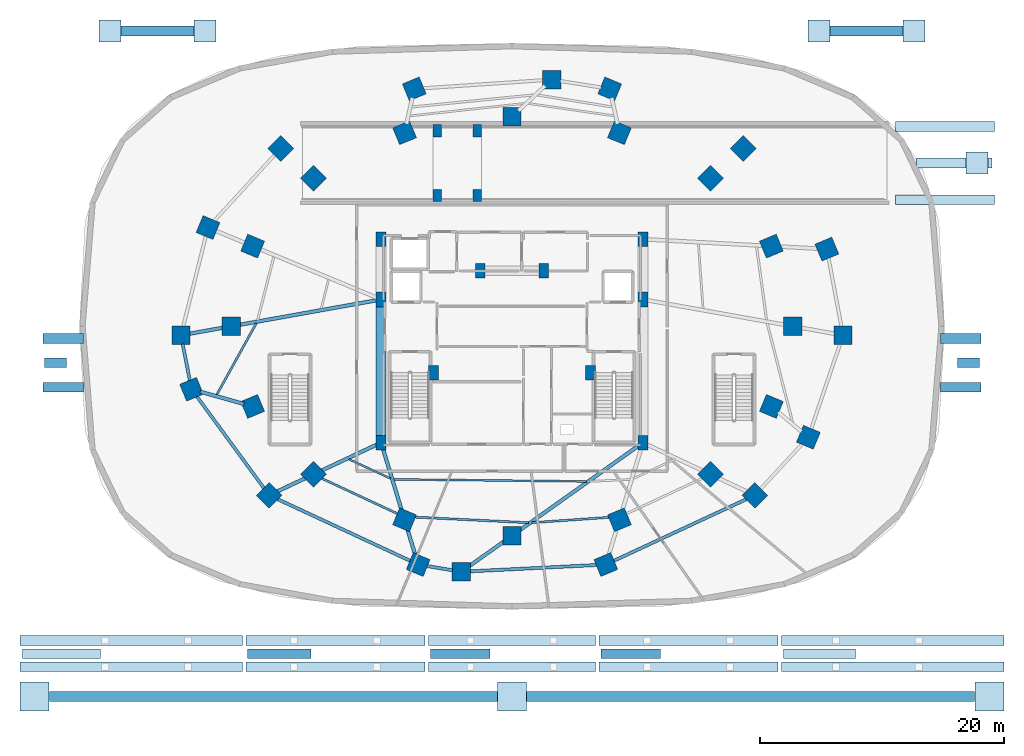
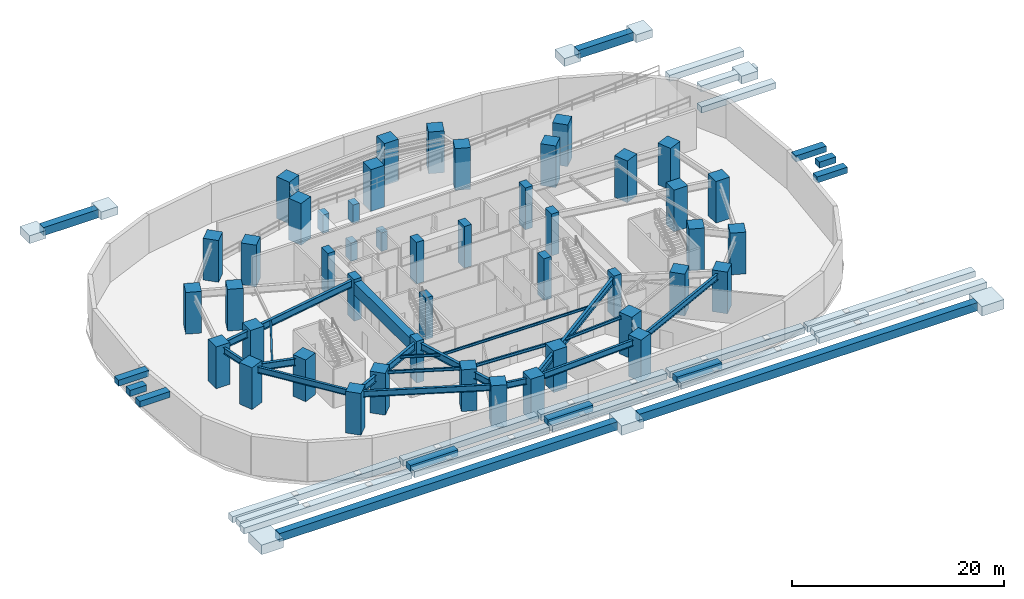
# One storey, part 1 of 8: 46 columns, 36 footings, 18 beams.
"""IFC4 building model written with IfcOpenShell, lengths in metres."""

from ifc_helpers import new_model, si_unit, direction, frame, origin, origin_2d, place, context, subcontext, project, spatial, rectangle, i_section, extrude, material, material_profile, profile_set, type_object, element, save


model = new_model("IFC4")

# Units and contexts
model_context = context("Model", 3, precision=1e-05, world=origin(), true_north=direction((0.0, 1.0)))
body_context = subcontext(model_context, "Body", "Model", "MODEL_VIEW")
ifc_project = project(units=[si_unit("LENGTHUNIT", "METRE"), si_unit("AREAUNIT", "SQUARE_METRE"), si_unit("VOLUMEUNIT", "CUBIC_METRE"), si_unit("PLANEANGLEUNIT", "RADIAN"), si_unit("MASSUNIT", "GRAM", prefix="KILO")], contexts=[model_context])

# Site, building, storey
site_placement = place(None, origin())
site = spatial("IfcSite", under=ifc_project, at=site_placement, CompositionType="ELEMENT")
building_placement = place(site_placement, origin())
building = spatial("IfcBuilding", under=site, at=building_placement, Name="Vorneva Point Tower", CompositionType="ELEMENT")
storey_placement = place(building_placement, frame((0.0, 0.0, -4.800048828125)))
storey = spatial("IfcBuildingStorey", under=building, at=storey_placement, Name="B01", CompositionType="ELEMENT", Elevation=-4.800048828125)

# Footings
ifc_material_1 = material(Name="Concrete B60 (C50/60)", Category="concrete")
ifc_material_profile_1 = material_profile(ifc_material_1, rectangle(XDim=0.800048828125, YDim=0.949951171875, at=origin_2d()), Name="GB 800x950")
ifc_profile_set_1 = profile_set([ifc_material_profile_1], Name="Concrete B60 (C50/60)")
footing_type_1 = type_object("IfcFootingType", Name="FT-GB-800x950", PredefinedType="FOOTING_BEAM", material=ifc_profile_set_1)
for number, where, z_axis, x_axis, name in (
    (1, (0.010009765625, -4.39990234375, 4.14501953125), (1.0, 0.0, 0.0), (0.0, 1.0, 0.0), "Waterfront Ground Tie Beam GB-01"),
    (2, (39.2099609375, -4.39990234375, 4.14501953125), (1.0, 0.0, 0.0), (0.0, 1.0, 0.0), "Waterfront Ground Tie Beam GB-02"),
):
    element("IfcFooting", number, at=place(storey_placement, frame(where, z_axis=z_axis, x_axis=x_axis)), inside=storey, type_object=footing_type_1, Name=name, PredefinedType="FOOTING_BEAM", context=body_context, shape_type="SweptSolid", body=[
        extrude(rectangle(XDim=0.800048828125, YDim=0.949951171875, at=origin_2d()), origin(), (0.0, 0.0, 1.0), 36.780029296875),
    ])
for number, where, z_axis, x_axis, name in (
    (3, (5.909912109375, 50.25, 4.14501953125), (1.0, 0.0, 0.0), (0.0, 1.0, 0.0), "Waterfront Ground Tie Beam GB-03"),
    (4, (64.110107421875, 50.25, 4.14501953125), (1.0, 0.0, 0.0), (0.0, 1.0, 0.0), "Waterfront Ground Tie Beam GB-04"),
):
    element("IfcFooting", number, at=place(storey_placement, frame(where, z_axis=z_axis, x_axis=x_axis)), inside=storey, type_object=footing_type_1, Name=name, PredefinedType="FOOTING_BEAM", context=body_context, shape_type="SweptSolid", body=[
        extrude(rectangle(XDim=0.800048828125, YDim=0.949951171875, at=origin_2d()), origin(), (0.0, 0.0, 1.0), 5.97998046875),
    ])
footing_type_2 = type_object("IfcFootingType", Name="FT-PAD-1800", PredefinedType="PAD_FOOTING", material=ifc_material_1)
for number, where, z_axis, x_axis, name in (
    (5, (12.800048828125, 50.25, 3.72021484375), (0.0, 0.0, 1.0), (1.0, 0.0, 0.0), "Waterfront Quay Pad Footing 02"),
    (6, (63.199951171875, 50.25, 3.72021484375), (0.0, 0.0, 1.0), (1.0, 0.0, 0.0), "Waterfront Quay Pad Footing 04"),
    (7, (76.199951171875, 39.39990234375, 3.72021484375), (0.0, 0.0, 1.0), (1.0, 0.0, 0.0), "Waterfront Quay Pad Footing 06"),
    (8, (5.0, 50.25, 3.72021484375), (0.0, 0.0, 1.0), (1.0, 0.0, 0.0), "Waterfront Quay Pad Footing 07"),
    (9, (71.0, 50.25, 3.72021484375), (0.0, 0.0, 1.0), (1.0, 0.0, 0.0), "Waterfront Quay Pad Footing 08"),
):
    element("IfcFooting", number, at=place(storey_placement, frame(where, z_axis=z_axis, x_axis=x_axis)), inside=storey, type_object=footing_type_2, Name=name, PredefinedType="PAD_FOOTING", context=body_context, shape_type="SweptSolid", body=[
        extrude(rectangle(XDim=1.800048828125, YDim=1.800048828125, at=origin_2d()), origin(), (0.0, 0.0, 1.0), 0.89990234375),
    ])
footing_type_3 = type_object("IfcFootingType", Name="FT-PAD-2400", PredefinedType="PAD_FOOTING", material=ifc_material_1)
for number, where, z_axis, x_axis, name in (
    (10, (-1.199951171875, -4.39990234375, 3.52001953125), (0.0, 0.0, 1.0), (1.0, 0.0, 0.0), "Waterfront Quay Pad Footing 01"),
    (11, (38.0, -4.39990234375, 3.52001953125), (0.0, 0.0, 1.0), (1.0, 0.0, 0.0), "Waterfront Quay Pad Footing 03"),
    (12, (77.199951171875, -4.39990234375, 3.52001953125), (0.0, 0.0, 1.0), (1.0, 0.0, 0.0), "Waterfront Quay Pad Footing 05"),
):
    element("IfcFooting", number, at=place(storey_placement, frame(where, z_axis=z_axis, x_axis=x_axis)), inside=storey, type_object=footing_type_3, Name=name, PredefinedType="PAD_FOOTING", context=body_context, shape_type="SweptSolid", body=[
        extrude(rectangle(XDim=2.39990234375, YDim=2.39990234375, at=origin_2d()), origin(), (0.0, 0.0, 1.0), 1.10009765625),
    ])
ifc_material_profile_2 = material_profile(ifc_material_1, rectangle(XDim=0.800048828125, YDim=0.699951171875, at=origin_2d()), Name="SF 800x700")
ifc_profile_set_2 = profile_set([ifc_material_profile_2], Name="Concrete B60 (C50/60)")
footing_type_4 = type_object("IfcFootingType", Name="FT-SF-800x700", PredefinedType="STRIP_FOOTING", material=ifc_profile_set_2)
for number, where, z_axis, x_axis, name in (
    (13, (-2.39990234375, -1.949951171875, 4.27001953125), (1.0, 0.0, 0.0), (0.0, 1.0, 0.0), "Waterfront Quay Strip Footing SF-Q1S"),
    (14, (-2.39990234375, 0.199951171875, 4.27001953125), (1.0, 0.0, 0.0), (0.0, 1.0, 0.0), "Waterfront Quay Strip Footing SF-Q1N"),
):
    element("IfcFooting", number, at=place(storey_placement, frame(where, z_axis=z_axis, x_axis=x_axis)), inside=storey, type_object=footing_type_4, Name=name, PredefinedType="STRIP_FOOTING", context=body_context, shape_type="SweptSolid", body=[
        extrude(rectangle(XDim=0.800048828125, YDim=0.699951171875, at=origin_2d()), origin(), (0.0, 0.0, 1.0), 18.25),
    ])
footing_1_placement = place(storey_placement, frame((-2.199951171875, -0.8798828125, 4.27001953125), z_axis=(1.0, 0.0, 0.0), x_axis=(0.0, 1.0, 0.0)))
element("IfcFooting", 15, at=footing_1_placement, inside=storey, type_object=footing_type_4, Name="Waterfront Quay Strip Footing SF-Q1M", PredefinedType="STRIP_FOOTING", context=body_context, shape_type="SweptSolid", body=[
    extrude(rectangle(XDim=0.800048828125, YDim=0.699951171875, at=origin_2d()), origin(), (0.0, 0.0, 1.0), 6.39990234375),
])
for number, where, z_axis, x_axis, name in (
    (16, (16.14990234375, -1.949951171875, 4.27001953125), (1.0, 0.0, 0.0), (0.0, 1.0, 0.0), "Waterfront Quay Strip Footing SF-Q2S"),
    (17, (16.14990234375, 0.199951171875, 4.27001953125), (1.0, 0.0, 0.0), (0.0, 1.0, 0.0), "Waterfront Quay Strip Footing SF-Q2N"),
):
    element("IfcFooting", number, at=place(storey_placement, frame(where, z_axis=z_axis, x_axis=x_axis)), inside=storey, type_object=footing_type_4, Name=name, PredefinedType="STRIP_FOOTING", context=body_context, shape_type="SweptSolid", body=[
        extrude(rectangle(XDim=0.800048828125, YDim=0.699951171875, at=origin_2d()), origin(), (0.0, 0.0, 1.0), 14.7001953125),
    ])
footing_2_placement = place(storey_placement, frame((16.300048828125, -0.8798828125, 4.27001953125), z_axis=(1.0, 0.0, 0.0), x_axis=(0.0, 1.0, 0.0)))
element("IfcFooting", 18, at=footing_2_placement, inside=storey, type_object=footing_type_4, Name="Waterfront Quay Strip Footing SF-Q2M", PredefinedType="STRIP_FOOTING", context=body_context, shape_type="SweptSolid", body=[
    extrude(rectangle(XDim=0.800048828125, YDim=0.699951171875, at=origin_2d()), origin(), (0.0, 0.0, 1.0), 5.199951171875),
])
for number, where, z_axis, x_axis, name in (
    (19, (31.14990234375, -1.949951171875, 4.27001953125), (1.0, 0.0, 0.0), (0.0, 1.0, 0.0), "Waterfront Quay Strip Footing SF-Q3S"),
    (20, (31.14990234375, 0.199951171875, 4.27001953125), (1.0, 0.0, 0.0), (0.0, 1.0, 0.0), "Waterfront Quay Strip Footing SF-Q3N"),
):
    element("IfcFooting", number, at=place(storey_placement, frame(where, z_axis=z_axis, x_axis=x_axis)), inside=storey, type_object=footing_type_4, Name=name, PredefinedType="STRIP_FOOTING", context=body_context, shape_type="SweptSolid", body=[
        extrude(rectangle(XDim=0.800048828125, YDim=0.699951171875, at=origin_2d()), origin(), (0.0, 0.0, 1.0), 13.7001953125),
    ])
footing_3_placement = place(storey_placement, frame((31.300048828125, -0.8798828125, 4.27001953125), z_axis=(1.0, 0.0, 0.0), x_axis=(0.0, 1.0, 0.0)))
element("IfcFooting", 21, at=footing_3_placement, inside=storey, type_object=footing_type_4, Name="Waterfront Quay Strip Footing SF-Q3M", PredefinedType="STRIP_FOOTING", context=body_context, shape_type="SweptSolid", body=[
    extrude(rectangle(XDim=0.800048828125, YDim=0.699951171875, at=origin_2d()), origin(), (0.0, 0.0, 1.0), 4.89990234375),
])
for number, where, z_axis, x_axis, name in (
    (22, (45.14990234375, -1.949951171875, 4.27001953125), (1.0, 0.0, 0.0), (0.0, 1.0, 0.0), "Waterfront Quay Strip Footing SF-Q4S"),
    (23, (45.14990234375, 0.199951171875, 4.27001953125), (1.0, 0.0, 0.0), (0.0, 1.0, 0.0), "Waterfront Quay Strip Footing SF-Q4N"),
):
    element("IfcFooting", number, at=place(storey_placement, frame(where, z_axis=z_axis, x_axis=x_axis)), inside=storey, type_object=footing_type_4, Name=name, PredefinedType="STRIP_FOOTING", context=body_context, shape_type="SweptSolid", body=[
        extrude(rectangle(XDim=0.800048828125, YDim=0.699951171875, at=origin_2d()), origin(), (0.0, 0.0, 1.0), 14.7001953125),
    ])
footing_4_placement = place(storey_placement, frame((45.300048828125, -0.8798828125, 4.27001953125), z_axis=(1.0, 0.0, 0.0), x_axis=(0.0, 1.0, 0.0)))
element("IfcFooting", 24, at=footing_4_placement, inside=storey, type_object=footing_type_4, Name="Waterfront Quay Strip Footing SF-Q4M", PredefinedType="STRIP_FOOTING", context=body_context, shape_type="SweptSolid", body=[
    extrude(rectangle(XDim=0.800048828125, YDim=0.699951171875, at=origin_2d()), origin(), (0.0, 0.0, 1.0), 4.89990234375),
])
for number, where, z_axis, x_axis, name in (
    (25, (60.14990234375, -1.949951171875, 4.27001953125), (1.0, 0.0, 0.0), (0.0, 1.0, 0.0), "Waterfront Quay Strip Footing SF-Q5S"),
    (26, (60.14990234375, 0.199951171875, 4.27001953125), (1.0, 0.0, 0.0), (0.0, 1.0, 0.0), "Waterfront Quay Strip Footing SF-Q5N"),
):
    element("IfcFooting", number, at=place(storey_placement, frame(where, z_axis=z_axis, x_axis=x_axis)), inside=storey, type_object=footing_type_4, Name=name, PredefinedType="STRIP_FOOTING", context=body_context, shape_type="SweptSolid", body=[
        extrude(rectangle(XDim=0.800048828125, YDim=0.699951171875, at=origin_2d()), origin(), (0.0, 0.0, 1.0), 18.25),
    ])
footing_5_placement = place(storey_placement, frame((60.300048828125, -0.8798828125, 4.27001953125), z_axis=(1.0, 0.0, 0.0), x_axis=(0.0, 1.0, 0.0)))
element("IfcFooting", 27, at=footing_5_placement, inside=storey, type_object=footing_type_4, Name="Waterfront Quay Strip Footing SF-Q5M", PredefinedType="STRIP_FOOTING", context=body_context, shape_type="SweptSolid", body=[
    extrude(rectangle(XDim=0.800048828125, YDim=0.699951171875, at=origin_2d()), origin(), (0.0, 0.0, 1.0), 5.89990234375),
])
for number, where, z_axis, x_axis, name in (
    (28, (69.5, 36.39990234375, 4.27001953125), (1.0, 0.0, 0.0), (0.0, 1.0, 0.0), "Waterfront Quay Strip Footing SF-DRV1"),
    (29, (69.5, 42.39990234375, 4.27001953125), (1.0, 0.0, 0.0), (0.0, 1.0, 0.0), "Waterfront Quay Strip Footing SF-DRV2"),
):
    element("IfcFooting", number, at=place(storey_placement, frame(where, z_axis=z_axis, x_axis=x_axis)), inside=storey, type_object=footing_type_4, Name=name, PredefinedType="STRIP_FOOTING", context=body_context, shape_type="SweptSolid", body=[
        extrude(rectangle(XDim=0.800048828125, YDim=0.699951171875, at=origin_2d()), origin(), (0.0, 0.0, 1.0), 8.10009765625),
    ])
footing_6_placement = place(storey_placement, frame((71.199951171875, 39.39990234375, 4.27001953125), z_axis=(1.0, 0.0, 0.0), x_axis=(0.0, 1.0, 0.0)))
element("IfcFooting", 30, at=footing_6_placement, inside=storey, type_object=footing_type_4, Name="Waterfront Quay Strip Footing SF-DRV3", PredefinedType="STRIP_FOOTING", context=body_context, shape_type="SweptSolid", body=[
    extrude(rectangle(XDim=0.800048828125, YDim=0.699951171875, at=origin_2d()), origin(), (0.0, 0.0, 1.0), 6.199951171875),
])
for number, where, z_axis, x_axis, name in (
    (31, (-0.5, 21.0, 4.27001953125), (1.0, 0.0, 0.0), (0.0, 1.0, 0.0), "Waterfront Quay Strip Footing SF-EXW1"),
    (32, (-0.5, 25.0, 4.27001953125), (1.0, 0.0, 0.0), (0.0, 1.0, 0.0), "Waterfront Quay Strip Footing SF-EXW2"),
):
    element("IfcFooting", number, at=place(storey_placement, frame(where, z_axis=z_axis, x_axis=x_axis)), inside=storey, type_object=footing_type_4, Name=name, PredefinedType="STRIP_FOOTING", context=body_context, shape_type="SweptSolid", body=[
        extrude(rectangle(XDim=0.800048828125, YDim=0.699951171875, at=origin_2d()), origin(), (0.0, 0.0, 1.0), 3.300048828125),
    ])
footing_7_placement = place(storey_placement, frame((-0.39990234375, 23.0, 4.27001953125), z_axis=(1.0, 0.0, 0.0), x_axis=(0.0, 1.0, 0.0)))
element("IfcFooting", 33, at=footing_7_placement, inside=storey, type_object=footing_type_4, Name="Waterfront Quay Strip Footing SF-EXW3", PredefinedType="STRIP_FOOTING", context=body_context, shape_type="SweptSolid", body=[
    extrude(rectangle(XDim=0.800048828125, YDim=0.699951171875, at=origin_2d()), origin(), (0.0, 0.0, 1.0), 1.7998046875),
])
for number, where, z_axis, x_axis, name in (
    (34, (73.199951171875, 21.0, 4.27001953125), (1.0, 0.0, 0.0), (0.0, 1.0, 0.0), "Waterfront Quay Strip Footing SF-EXE1"),
    (35, (73.199951171875, 25.0, 4.27001953125), (1.0, 0.0, 0.0), (0.0, 1.0, 0.0), "Waterfront Quay Strip Footing SF-EXE2"),
):
    element("IfcFooting", number, at=place(storey_placement, frame(where, z_axis=z_axis, x_axis=x_axis)), inside=storey, type_object=footing_type_4, Name=name, PredefinedType="STRIP_FOOTING", context=body_context, shape_type="SweptSolid", body=[
        extrude(rectangle(XDim=0.800048828125, YDim=0.699951171875, at=origin_2d()), origin(), (0.0, 0.0, 1.0), 3.300048828125),
    ])
footing_8_placement = place(storey_placement, frame((74.60009765625, 23.0, 4.27001953125), z_axis=(1.0, 0.0, 0.0), x_axis=(0.0, 1.0, 0.0)))
element("IfcFooting", 36, at=footing_8_placement, inside=storey, type_object=footing_type_4, Name="Waterfront Quay Strip Footing SF-EXE3", PredefinedType="STRIP_FOOTING", context=body_context, shape_type="SweptSolid", body=[
    extrude(rectangle(XDim=0.800048828125, YDim=0.699951171875, at=origin_2d()), origin(), (0.0, 0.0, 1.0), 1.7998046875),
])

# Columns
ifc_material_profile_3 = material_profile(ifc_material_1, rectangle(XDim=1.5, YDim=1.5, at=origin_2d()), Name="RC-COL 1500x1500")
ifc_profile_set_3 = profile_set([ifc_material_profile_3], Name="Concrete B60 (C50/60)")
column_type_1 = type_object("IfcColumnType", Name="COL-RC1500-SUB", PredefinedType="COLUMN", material=ifc_profile_set_3)
for number, where, z_axis, x_axis, name in (
    (37, (61.050048828125, 26.0, 0.0), (0.0, 0.0, 1.0), (1.0, 0.0, 0.0), "B01 Perimeter Column P01"),
    (38, (59.29541015625, 32.582275390625, 0.0), (0.0, 0.0, 1.0), (0.923879532511, 0.382683432365, 0.0), "B01 Perimeter Column P02"),
    (39, (54.298828125, 38.162109375, 0.0), (0.0, 0.0, 1.0), (0.707106781187, 0.707106781187, 0.0), "B01 Perimeter Column P03"),
    (40, (46.82080078125, 41.890625, 0.0), (0.0, 0.0, 1.0), (0.382683432365, 0.923879532511, 0.0), "B01 Perimeter Column P04"),
    (41, (38.0, 43.199951171875, 0.0), (0.0, 0.0, 1.0), (0.0, 1.0, 0.0), "B01 Perimeter Column P05"),
    (42, (29.17919921875, 41.890625, 0.0), (0.0, 0.0, 1.0), (-0.382683432365, 0.923879532511, 0.0), "B01 Perimeter Column P06"),
    (43, (21.701171875, 38.162109375, 0.0), (0.0, 0.0, 1.0), (-0.707106781187, 0.707106781187, 0.0), "B01 Perimeter Column P07"),
    (44, (16.70458984375, 32.582275390625, 0.0), (0.0, 0.0, 1.0), (-0.923879532511, 0.382683432365, 0.0), "B01 Perimeter Column P08"),
    (45, (14.949951171875, 26.0, 0.0), (0.0, 0.0, 1.0), (-1.0, 0.0, 0.0), "B01 Perimeter Column P09"),
    (46, (16.70458984375, 19.417724609375, 0.0), (0.0, 0.0, 1.0), (-0.923879532511, -0.382683432365, 0.0), "B01 Perimeter Column P10"),
    (47, (21.701171875, 13.837890625, 0.0), (0.0, 0.0, 1.0), (-0.707106781187, -0.707106781187, 0.0), "B01 Perimeter Column P11"),
    (48, (29.17919921875, 10.109375, 0.0), (0.0, 0.0, 1.0), (-0.382683432365, -0.923879532511, 0.0), "B01 Perimeter Column P12"),
    (49, (38.0, 8.800048828125, 0.0), (0.0, 0.0, 1.0), (0.0, -1.0, 0.0), "B01 Perimeter Column P13"),
    (50, (46.82080078125, 10.109375, 0.0), (0.0, 0.0, 1.0), (0.382683432365, -0.923879532511, 0.0), "B01 Perimeter Column P14"),
    (51, (54.298828125, 13.837890625, 0.0), (0.0, 0.0, 1.0), (0.707106781187, -0.707106781187, 0.0), "B01 Perimeter Column P15"),
    (52, (59.29541015625, 19.417724609375, 0.0), (0.0, 0.0, 1.0), (0.923879532511, -0.382683432365, 0.0), "B01 Perimeter Column P16"),
    (53, (65.18212890625, 25.260986328125, 0.0), (0.0, 0.0, 1.0), (1.0, 0.0, 0.0), "B01 Outer Zone Column OP01"),
    (54, (63.8544921875, 32.336669921875, 0.0), (0.0, 0.0, 1.0), (0.923879532511, 0.382683432365, 0.0), "B01 Outer Zone Column OP02"),
    (55, (56.997314453125, 40.599853515625, 0.0), (0.0, 0.0, 1.0), (0.707106781187, 0.707106781187, 0.0), "B01 Outer Zone Column OP03"),
    (56, (46.026123046875, 45.49169921875, 0.0), (0.0, 0.0, 1.0), (0.382683432365, 0.923879532511, 0.0), "B01 Outer Zone Column OP04"),
    (57, (41.26513671875, 46.25244140625, 0.0), (0.0, 0.0, 1.0), (0.0, 1.0, 0.0), "B01 Outer Zone Column OP05"),
    (58, (29.973876953125, 45.49169921875, 0.0), (0.0, 0.0, 1.0), (-0.382683432365, 0.923879532511, 0.0), "B01 Outer Zone Column OP06"),
    (59, (19.002685546875, 40.599853515625, 0.0), (0.0, 0.0, 1.0), (-0.707106781187, 0.707106781187, 0.0), "B01 Outer Zone Column OP07"),
    (60, (13.0390625, 34.10546875, 0.0), (0.0, 0.0, 1.0), (-0.923879532511, 0.382683432365, 0.0), "B01 Outer Zone Column OP08"),
    (61, (10.81787109375, 25.260986328125, 0.0), (0.0, 0.0, 1.0), (-1.0, 0.0, 0.0), "B01 Outer Zone Column OP09"),
    (62, (11.68798828125, 20.82958984375, 0.0), (0.0, 0.0, 1.0), (-0.923879532511, -0.382683432365, 0.0), "B01 Outer Zone Column OP10"),
    (63, (18.061279296875, 12.124267578125, 0.0), (0.0, 0.0, 1.0), (-0.707106781187, -0.707106781187, 0.0), "B01 Outer Zone Column OP11"),
    (64, (30.296875, 6.435302734375, 0.0), (0.0, 0.0, 1.0), (-0.382683432365, -0.923879532511, 0.0), "B01 Outer Zone Column OP12"),
    (65, (33.84033203125, 5.83984375, 0.0), (0.0, 0.0, 1.0), (0.0, -1.0, 0.0), "B01 Outer Zone Column OP13"),
    (66, (45.703125, 6.435302734375, 0.0), (0.0, 0.0, 1.0), (0.382683432365, -0.923879532511, 0.0), "B01 Outer Zone Column OP14"),
    (67, (57.938720703125, 12.124267578125, 0.0), (0.0, 0.0, 1.0), (0.707106781187, -0.707106781187, 0.0), "B01 Outer Zone Column OP15"),
    (68, (62.3349609375, 16.886474609375, 0.0), (0.0, 0.0, 1.0), (0.923879532511, -0.382683432365, 0.0), "B01 Outer Zone Column OP16"),
):
    element("IfcColumn", number, at=place(storey_placement, frame(where, z_axis=z_axis, x_axis=x_axis)), inside=storey, type_object=column_type_1, Name=name, PredefinedType="COLUMN", context=body_context, shape_type="SweptSolid", body=[
        extrude(rectangle(XDim=1.5, YDim=1.5, at=origin_2d()), origin(), (0.0, 0.0, 1.0), 4.800048828125),
    ])
ifc_material_2 = material(Name="Concrete B50 (C40/50)", Category="concrete")
ifc_material_profile_4 = material_profile(ifc_material_2, rectangle(XDim=0.699951171875, YDim=1.0, at=origin_2d()), Name="RC-PIL 1000x700")
ifc_profile_set_4 = profile_set([ifc_material_profile_4], Name="Concrete B50 (C40/50)")
column_type_2 = type_object("IfcColumnType", Name="PIL-RC1000x700", PredefinedType="PILASTER", material=ifc_profile_set_4)
for number, where, z_axis, x_axis, name in (
    (69, (31.85009765625, 36.75, 0.0), (0.0, 0.0, 1.0), (1.0, 0.0, 0.0), "B01 Vehicle Ramp Landing Support Pier RMP1"),
    (70, (35.14990234375, 36.75, 0.0), (0.0, 0.0, 1.0), (1.0, 0.0, 0.0), "B01 Vehicle Ramp Landing Support Pier RMP2"),
    (71, (35.14990234375, 42.050048828125, 0.0), (0.0, 0.0, 1.0), (1.0, 0.0, 0.0), "B01 Vehicle Ramp Landing Support Pier RMP3"),
    (72, (31.85009765625, 42.050048828125, 0.0), (0.0, 0.0, 1.0), (1.0, 0.0, 0.0), "B01 Vehicle Ramp Landing Support Pier RMP4"),
):
    element("IfcColumn", number, at=place(storey_placement, frame(where, z_axis=z_axis, x_axis=x_axis)), inside=storey, type_object=column_type_2, Name=name, PredefinedType="PILASTER", context=body_context, shape_type="SweptSolid", body=[
        extrude(rectangle(XDim=0.699951171875, YDim=1.0, at=origin_2d()), origin(), (0.0, 0.0, 1.0), 2.1201171875),
    ])
ifc_material_profile_5 = material_profile(ifc_material_1, rectangle(XDim=0.800048828125, YDim=1.199951171875, at=origin_2d()), Name="RC-PIL 1200x800")
ifc_profile_set_5 = profile_set([ifc_material_profile_5], Name="Concrete B60 (C50/60)")
column_type_3 = type_object("IfcColumnType", Name="PIL-RC1200x800", PredefinedType="PILASTER", material=ifc_profile_set_5)
for number, where, z_axis, x_axis, name in (
    (73, (27.25, 16.449951171875, 0.0), (0.0, 0.0, 1.0), (1.0, 0.0, 0.0), "B01 Core Pilaster CP1"),
    (74, (27.25, 28.199951171875, 0.0), (0.0, 0.0, 1.0), (1.0, 0.0, 0.0), "B01 Core Pilaster CP2"),
    (75, (27.25, 33.14990234375, 0.0), (0.0, 0.0, 1.0), (1.0, 0.0, 0.0), "B01 Core Pilaster CP3"),
    (76, (31.550048828125, 22.199951171875, 0.0), (0.0, 0.0, 1.0), (1.0, 0.0, 0.0), "B01 Core Pilaster CP4"),
    (77, (48.75, 33.14990234375, 0.0), (0.0, 0.0, 1.0), (1.0, 0.0, 0.0), "B01 Core Pilaster CP5"),
    (78, (48.75, 28.199951171875, 0.0), (0.0, 0.0, 1.0), (1.0, 0.0, 0.0), "B01 Core Pilaster CP6"),
    (79, (48.75, 16.449951171875, 0.0), (0.0, 0.0, 1.0), (1.0, 0.0, 0.0), "B01 Core Pilaster CP7"),
    (80, (44.449951171875, 22.199951171875, 0.0), (0.0, 0.0, 1.0), (1.0, 0.0, 0.0), "B01 Core Pilaster CP8"),
    (81, (35.39990234375, 30.550048828125, 0.0), (0.0, 0.0, 1.0), (1.0, 0.0, 0.0), "B01 Core Pilaster CP9"),
    (82, (40.60009765625, 30.550048828125, 0.0), (0.0, 0.0, 1.0), (1.0, 0.0, 0.0), "B01 Core Pilaster CP10"),
):
    element("IfcColumn", number, at=place(storey_placement, frame(where, z_axis=z_axis, x_axis=x_axis)), inside=storey, type_object=column_type_3, Name=name, PredefinedType="PILASTER", context=body_context, shape_type="SweptSolid", body=[
        extrude(rectangle(XDim=0.800048828125, YDim=1.199951171875, at=origin_2d()), origin(), (0.0, 0.0, 1.0), 4.800048828125),
    ])

# Beams
ifc_material_3 = material(Name="Steel S355", Category="steel")
ifc_material_profile_6 = material_profile(ifc_material_3, i_section(OverallWidth=0.300048828125, OverallDepth=0.7880859375, WebThickness=0.014404296875, FlangeThickness=0.02197265625, at=origin_2d()), Name="80Sh1")
ifc_profile_set_6 = profile_set([ifc_material_profile_6], Name="Steel S355")
beam_type_1 = type_object("IfcBeamType", Name="BM-GRD-80Sh1", PredefinedType="USERDEFINED", material=ifc_profile_set_6)
beam_1_placement = place(storey_placement, frame((11.54443359375, 25.390869140625, 4.066162109375), z_axis=(0.984377963628, 0.176068238829, 0.0), x_axis=(-0.176068238829, 0.984377963628, 0.0)))
element("IfcBeam", 83, at=beam_1_placement, inside=storey, type_object=beam_type_1, Name="B01 Radial Primary Girder 09", ObjectType="GIRDER", PredefinedType="USERDEFINED", context=body_context, shape_type="SweptSolid", body=[
    extrude(i_section(OverallWidth=0.300048828125, OverallDepth=0.7880859375, WebThickness=0.014404296875, FlangeThickness=0.02197265625, at=origin_2d()), origin(), (0.0, 0.0, 1.0), 15.61474609375),
])
beam_2_placement = place(storey_placement, frame((12.3984375, 20.629638671875, 4.066162109375), z_axis=(0.962604080358, -0.27091213424, 0.0), x_axis=(0.27091213424, 0.962604080358, 0.0)))
element("IfcBeam", 84, at=beam_2_placement, inside=storey, type_object=beam_type_1, Name="B01 Radial Primary Girder 10", ObjectType="GIRDER", PredefinedType="USERDEFINED", context=body_context, shape_type="SweptSolid", body=[
    extrude(i_section(OverallWidth=0.300048828125, OverallDepth=0.7880859375, WebThickness=0.014404296875, FlangeThickness=0.02197265625, at=origin_2d()), origin(), (0.0, 0.0, 1.0), 3.7353515625),
])
beam_3_placement = place(storey_placement, frame((18.72900390625, 12.4384765625, 4.066162109375), z_axis=(0.90475164766, 0.425939498117, 0.0), x_axis=(-0.425939498117, 0.90475164766, 0.0)))
element("IfcBeam", 85, at=beam_3_placement, inside=storey, type_object=beam_type_1, Name="B01 Radial Primary Girder 11", ObjectType="GIRDER", PredefinedType="USERDEFINED", context=body_context, shape_type="SweptSolid", body=[
    extrude(i_section(OverallWidth=0.300048828125, OverallDepth=0.7880859375, WebThickness=0.014404296875, FlangeThickness=0.02197265625, at=origin_2d()), origin(), (0.0, 0.0, 1.0), 9.078125),
])
beam_4_placement = place(storey_placement, frame((30.08203125, 7.14111328125, 4.066162109375), z_axis=(-0.291040566437, 0.956710713167, 0.0), x_axis=(-0.956710713167, -0.291040566437, 0.0)))
element("IfcBeam", 86, at=beam_4_placement, inside=storey, type_object=beam_type_1, Name="B01 Radial Primary Girder 12", ObjectType="GIRDER", PredefinedType="USERDEFINED", context=body_context, shape_type="SweptSolid", body=[
    extrude(i_section(OverallWidth=0.300048828125, OverallDepth=0.7880859375, WebThickness=0.014404296875, FlangeThickness=0.02197265625, at=origin_2d()), origin(), (0.0, 0.0, 1.0), 9.39013671875),
])
beam_5_placement = place(storey_placement, frame((34.441650390625, 6.267822265625, 4.066162109375), z_axis=(0.814754265282, 0.579806422184, 0.0), x_axis=(-0.579806422184, 0.814754265282, 0.0)))
element("IfcBeam", 87, at=beam_5_placement, inside=storey, type_object=beam_type_1, Name="B01 Radial Primary Girder 13", ObjectType="GIRDER", PredefinedType="USERDEFINED", context=body_context, shape_type="SweptSolid", body=[
    extrude(i_section(OverallWidth=0.300048828125, OverallDepth=0.7880859375, WebThickness=0.014404296875, FlangeThickness=0.02197265625, at=origin_2d()), origin(), (0.0, 0.0, 1.0), 17.221435546875),
])
ifc_material_profile_7 = material_profile(ifc_material_1, rectangle(XDim=0.800048828125, YDim=1.39990234375, at=origin_2d()), Name="RC-BM 1400x800")
ifc_profile_set_7 = profile_set([ifc_material_profile_7], Name="Concrete B60 (C50/60)")
beam_type_2 = type_object("IfcBeamType", Name="BM-GRD-RC1400", PredefinedType="USERDEFINED", material=ifc_profile_set_7)
beam_6_placement = place(storey_placement, frame((27.25, 16.77001953125, 3.760009765625), z_axis=(0.0, 1.0, 0.0), x_axis=(-1.0, 0.0, 0.0)))
element("IfcBeam", 88, at=beam_6_placement, inside=storey, type_object=beam_type_2, Name="B01 Core Tie Girder CT1", ObjectType="GIRDER", PredefinedType="USERDEFINED", context=body_context, shape_type="SweptSolid", body=[
    extrude(rectangle(XDim=0.800048828125, YDim=1.39990234375, at=origin_2d()), origin(), (0.0, 0.0, 1.0), 11.10986328125),
])
ifc_material_profile_8 = material_profile(ifc_material_3, i_section(OverallWidth=0.14892578125, OverallDepth=0.298095703125, WebThickness=0.005615234375, FlangeThickness=0.008056640625, at=origin_2d()), Name="30B1")
ifc_profile_set_8 = profile_set([ifc_material_profile_8], Name="Steel S355")
beam_type_3 = type_object("IfcBeamType", Name="BM-JST-30B1", PredefinedType="JOIST", material=ifc_profile_set_8)
beam_7_placement = place(storey_placement, frame((24.603515625, 15.0869140625, 4.31103515625), z_axis=(0.906818377707, -0.421521565111, 0.0), x_axis=(0.421521565111, 0.906818377707, 0.0)))
element("IfcBeam", 89, at=beam_7_placement, inside=storey, type_object=beam_type_3, Name="B01 Secondary Floor Beam 2.11", PredefinedType="JOIST", context=body_context, shape_type="SweptSolid", body=[
    extrude(i_section(OverallWidth=0.14892578125, OverallDepth=0.298095703125, WebThickness=0.005615234375, FlangeThickness=0.008056640625, at=origin_2d()), origin(), (0.0, 0.0, 1.0), 3.793701171875),
])
beam_8_placement = place(storey_placement, frame((28.306884765625, 13.42822265625, 4.31103515625), z_axis=(0.999942641815, -0.010710419234, 0.0), x_axis=(0.010710419234, 0.999942641815, 0.0)))
element("IfcBeam", 90, at=beam_8_placement, inside=storey, type_object=beam_type_3, Name="B01 Secondary Floor Beam 2.12", PredefinedType="JOIST", context=body_context, shape_type="SweptSolid", body=[
    extrude(i_section(OverallWidth=0.14892578125, OverallDepth=0.298095703125, WebThickness=0.005615234375, FlangeThickness=0.008056640625, at=origin_2d()), origin(), (0.0, 0.0, 1.0), 15.819580078125),
])
ifc_material_profile_9 = material_profile(ifc_material_3, i_section(OverallWidth=0.174072265625, OverallDepth=0.345947265625, WebThickness=0.006103515625, FlangeThickness=0.009033203125, at=origin_2d()), Name="35B1")
ifc_profile_set_9 = profile_set([ifc_material_profile_9], Name="Steel S355")
beam_type_4 = type_object("IfcBeamType", Name="BM-SEC-35B1", PredefinedType="BEAM", material=ifc_profile_set_9)
beam_9_placement = place(storey_placement, frame((17.010986328125, 26.259765625, 4.287109375), z_axis=(-0.484277608824, -0.874914394436, 0.0), x_axis=(0.874914394436, -0.484277608824, 0.0)))
element("IfcBeam", 91, at=beam_9_placement, inside=storey, type_object=beam_type_4, Name="B01 Secondary Floor Beam 1.09", PredefinedType="BEAM", context=body_context, shape_type="SweptSolid", body=[
    extrude(i_section(OverallWidth=0.174072265625, OverallDepth=0.345947265625, WebThickness=0.006103515625, FlangeThickness=0.009033203125, at=origin_2d()), origin(), (0.0, 0.0, 1.0), 6.713623046875),
])
beam_10_placement = place(storey_placement, frame((21.810791015625, 13.772216796875, 4.287109375), z_axis=(0.906367747267, -0.422489652789, 0.0), x_axis=(0.422489652789, 0.906367747267, 0.0)))
element("IfcBeam", 92, at=beam_10_placement, inside=storey, type_object=beam_type_4, Name="B01 Secondary Floor Beam 1.11", PredefinedType="BEAM", context=body_context, shape_type="SweptSolid", body=[
    extrude(i_section(OverallWidth=0.174072265625, OverallDepth=0.345947265625, WebThickness=0.006103515625, FlangeThickness=0.009033203125, at=origin_2d()), origin(), (0.0, 0.0, 1.0), 7.90234375),
])
beam_11_placement = place(storey_placement, frame((29.236083984375, 10.368408203125, 4.287109375), z_axis=(0.998784994175, -0.049280172584, 0.0), x_axis=(0.049280172584, 0.998784994175, 0.0)))
element("IfcBeam", 93, at=beam_11_placement, inside=storey, type_object=beam_type_4, Name="B01 Secondary Floor Beam 1.12", PredefinedType="BEAM", context=body_context, shape_type="SweptSolid", body=[
    extrude(i_section(OverallWidth=0.174072265625, OverallDepth=0.345947265625, WebThickness=0.006103515625, FlangeThickness=0.009033203125, at=origin_2d()), origin(), (0.0, 0.0, 1.0), 10.131103515625),
])
beam_12_placement = place(storey_placement, frame((39.630615234375, 9.8720703125, 4.287109375), z_axis=(0.997614138695, 0.069036441646, 0.0), x_axis=(-0.069036441646, 0.997614138695, 0.0)))
element("IfcBeam", 94, at=beam_12_placement, inside=storey, type_object=beam_type_4, Name="B01 Secondary Floor Beam 1.13", PredefinedType="BEAM", context=body_context, shape_type="SweptSolid", body=[
    extrude(i_section(OverallWidth=0.174072265625, OverallDepth=0.345947265625, WebThickness=0.006103515625, FlangeThickness=0.009033203125, at=origin_2d()), origin(), (0.0, 0.0, 1.0), 7.150634765625),
])
ifc_material_profile_10 = material_profile(ifc_material_3, i_section(OverallWidth=0.260009765625, OverallDepth=0.69091796875, WebThickness=0.011962890625, FlangeThickness=0.015380859375, at=origin_2d()), Name="70B1")
ifc_profile_set_10 = profile_set([ifc_material_profile_10], Name="Steel S355")
beam_type_5 = type_object("IfcBeamType", Name="BM-SPN-70B1-SUB", PredefinedType="SPANDREL", material=ifc_profile_set_10)
beam_13_placement = place(storey_placement, frame((10.95947265625, 24.539794921875, 4.114501953125), z_axis=(0.192677778742, -0.981262082004, 0.0), x_axis=(0.981262082004, 0.192677778742, 0.0)))
element("IfcBeam", 95, at=beam_13_placement, inside=storey, type_object=beam_type_5, Name="B01 Perimeter Spandrel Ring Beam 09", PredefinedType="SPANDREL", context=body_context, shape_type="SweptSolid", body=[
    extrude(i_section(OverallWidth=0.260009765625, OverallDepth=0.69091796875, WebThickness=0.011962890625, FlangeThickness=0.015380859375, at=origin_2d()), origin(), (0.0, 0.0, 1.0), 3.046142578125),
])
beam_14_placement = place(storey_placement, frame((12.122314453125, 20.236572265625, 4.114501953125), z_axis=(0.590717225993, -0.806878651914, 0.0), x_axis=(0.806878651914, 0.590717225993, 0.0)))
element("IfcBeam", 96, at=beam_14_placement, inside=storey, type_object=beam_type_5, Name="B01 Perimeter Spandrel Ring Beam 10", PredefinedType="SPANDREL", context=body_context, shape_type="SweptSolid", body=[
    extrude(i_section(OverallWidth=0.260009765625, OverallDepth=0.69091796875, WebThickness=0.011962890625, FlangeThickness=0.015380859375, at=origin_2d()), origin(), (0.0, 0.0, 1.0), 9.319091796875),
])
beam_15_placement = place(storey_placement, frame((18.727783203125, 11.814208984375, 4.114501953125), z_axis=(0.906780872519, -0.421602240547, 0.0), x_axis=(0.421602240547, 0.906780872519, 0.0)))
element("IfcBeam", 97, at=beam_15_placement, inside=storey, type_object=beam_type_5, Name="B01 Perimeter Spandrel Ring Beam 11", PredefinedType="SPANDREL", context=body_context, shape_type="SweptSolid", body=[
    extrude(i_section(OverallWidth=0.260009765625, OverallDepth=0.69091796875, WebThickness=0.011962890625, FlangeThickness=0.015380859375, at=origin_2d()), origin(), (0.0, 0.0, 1.0), 12.0234375),
])
beam_16_placement = place(storey_placement, frame((31.021728515625, 6.3134765625, 4.114501953125), z_axis=(0.98617550681, -0.165704163399, 0.0), x_axis=(0.165704163399, 0.98617550681, 0.0)))
element("IfcBeam", 98, at=beam_16_placement, inside=storey, type_object=beam_type_5, Name="B01 Perimeter Spandrel Ring Beam 12", PredefinedType="SPANDREL", context=body_context, shape_type="SweptSolid", body=[
    extrude(i_section(OverallWidth=0.260009765625, OverallDepth=0.69091796875, WebThickness=0.011962890625, FlangeThickness=0.015380859375, at=origin_2d()), origin(), (0.0, 0.0, 1.0), 2.123046875),
])
beam_17_placement = place(storey_placement, frame((34.574462890625, 5.876708984375, 4.114501953125), z_axis=(0.9987427267, 0.050129490956, 0.0), x_axis=(-0.050129490956, 0.9987427267, 0.0)))
element("IfcBeam", 99, at=beam_17_placement, inside=storey, type_object=beam_type_5, Name="B01 Perimeter Spandrel Ring Beam 13", PredefinedType="SPANDREL", context=body_context, shape_type="SweptSolid", body=[
    extrude(i_section(OverallWidth=0.260009765625, OverallDepth=0.69091796875, WebThickness=0.011962890625, FlangeThickness=0.015380859375, at=origin_2d()), origin(), (0.0, 0.0, 1.0), 10.40771484375),
])
beam_18_placement = place(storey_placement, frame((46.36962890625, 6.7451171875, 4.114501953125), z_axis=(0.906780872519, 0.421602240547, 0.0), x_axis=(-0.421602240547, 0.906780872519, 0.0)))
element("IfcBeam", 100, at=beam_18_placement, inside=storey, type_object=beam_type_5, Name="B01 Perimeter Spandrel Ring Beam 14", PredefinedType="SPANDREL", context=body_context, shape_type="SweptSolid", body=[
    extrude(i_section(OverallWidth=0.260009765625, OverallDepth=0.69091796875, WebThickness=0.011962890625, FlangeThickness=0.015380859375, at=origin_2d()), origin(), (0.0, 0.0, 1.0), 12.0234375),
])

save(model, "model.ifc")
